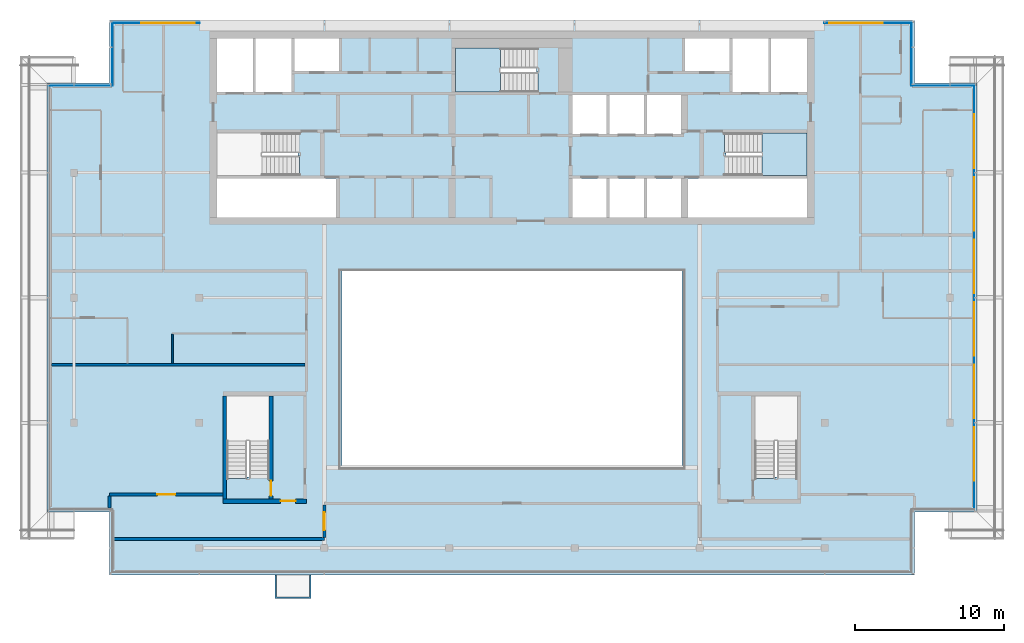
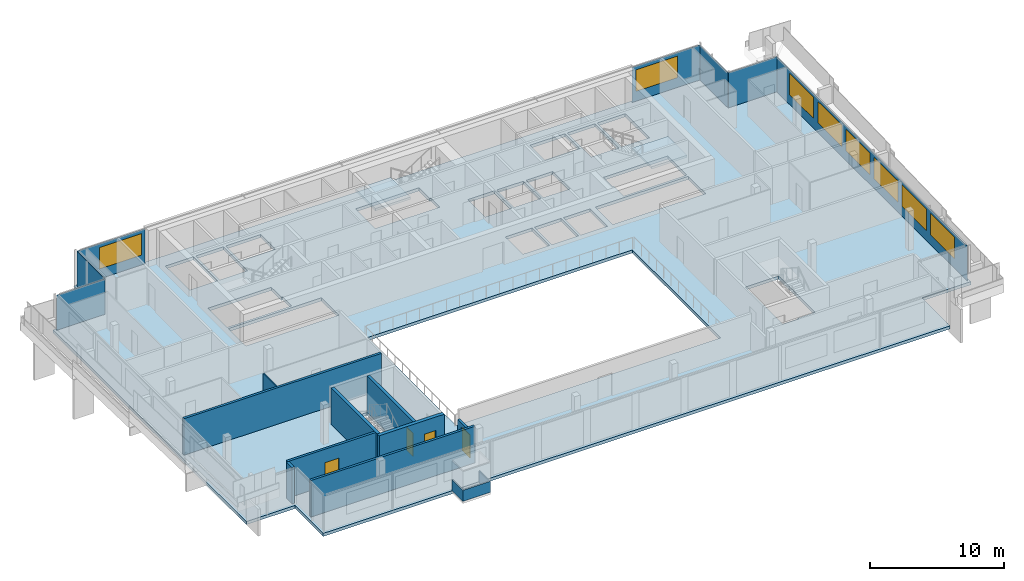
# One storey, part 10 of 19: 10 walls, 8 windows, 7 plates, 4 doors, 3 slabs, 12 openings, 8 elements without a shape of their own.
"""IFC4 building model written with IfcOpenShell, lengths in metres."""

from ifc_helpers import new_model, si_unit, direction, frame, frame_2d, origin, place, context, subcontext, project, spatial, polyline, rectangle, outline, extrude, material, layer, layer_set, type_object, element, fill, aggregate, save


model = new_model("IFC4")

# Units and contexts
model_context = context("Model", 3, precision=1e-05, world=origin(), true_north=direction((0.0, 1.0)))
body_context = subcontext(model_context, "Body", "Model", "MODEL_VIEW")
ifc_project = project(units=[si_unit("LENGTHUNIT", "METRE"), si_unit("AREAUNIT", "SQUARE_METRE"), si_unit("VOLUMEUNIT", "CUBIC_METRE"), si_unit("PLANEANGLEUNIT", "RADIAN"), si_unit("MASSUNIT", "GRAM", prefix="KILO")], contexts=[model_context])

# Site, building, storey
site_placement = place(None, origin())
site = spatial("IfcSite", under=ifc_project, at=site_placement, CompositionType="ELEMENT")
building_placement = place(site_placement, origin())
building = spatial("IfcBuilding", under=site, at=building_placement, Name="Saffron Gate Tower", CompositionType="ELEMENT")
storey_placement = place(building_placement, frame((0.0, 0.0, 292.35009765625)))
storey = spatial("IfcBuildingStorey", under=building, at=storey_placement, Name="L71", CompositionType="ELEMENT", Elevation=292.35009765625)

# Curtain wall, plate, openings, windows
ifc_material_1 = material(Name="Aluminium, bronze anodised", Category="aluminium")
curtain_wall_type_1 = type_object("IfcCurtainWallType", Name="CWS2 curtain wall side facades", PredefinedType="NOTDEFINED", material=ifc_material_1)
curtain_wall_1_placement = place(storey_placement, origin())
curtain_wall_1 = element("IfcCurtainWall", 1, at=curtain_wall_1_placement, inside=storey, type_object=curtain_wall_type_1, Name="CWS2 run 4", PredefinedType="NOTDEFINED")
ifc_material_2 = material(Name="Fritted bronze-tinted laminated glass", Category="glass")
ifc_layer_1 = layer(ifc_material_2, 0.028076171875)
ifc_layer_set_1 = layer_set([ifc_layer_1], Name="CWS2 fixed glass")
plate_type_1 = type_object("IfcPlateType", Name="CWS2 fixed glass", PredefinedType="CURTAIN_PANEL", material=ifc_layer_set_1)
plate_1_placement = place(storey_placement, frame((118.6259765625, 42.7880859375, 0.0), z_axis=(0.0, 0.0, 1.0), x_axis=(0.0, 1.0, 0.0)))
plate_1 = element("IfcPlate", 2, at=plate_1_placement, type_object=plate_type_1, Name="CWS2 glass panel", PredefinedType="CURTAIN_PANEL", context=body_context, shape_type="SweptSolid", body=[
    extrude(rectangle(XDim=28.423828125, YDim=0.028076171875, at=frame_2d((14.2119140625, 0.0))), origin(), (0.0, 0.0, 1.0), 3.199951171875),
])
opening_1_placement = place(plate_1_placement, frame((1.912109375, 0.0, 0.89990234375)))
opening_1 = element("IfcOpeningElement", 3, at=opening_1_placement, cuts=plate_1, Name="Opening W1", PredefinedType="OPENING", context=body_context, shape_type="SweptSolid", body=[
    extrude(rectangle(XDim=3.60009765625, YDim=1.949951171875, at=frame_2d((1.800048828125, 0.97509765625))), frame((0.0, 0.02392578125, 0.0), z_axis=(0.0, -1.0, 0.0), x_axis=(1.0, 0.0, 0.0)), (0.0, 0.0, 1.0), 0.048095703125),
])
opening_2_placement = place(plate_1_placement, frame((6.112060546875, 0.0, 0.89990234375)))
opening_2 = element("IfcOpeningElement", 4, at=opening_2_placement, cuts=plate_1, Name="Opening W1", PredefinedType="OPENING", context=body_context, shape_type="SweptSolid", body=[
    extrude(rectangle(XDim=3.60009765625, YDim=1.949951171875, at=frame_2d((1.800048828125, 0.97509765625))), frame((0.0, 0.02392578125, 0.0), z_axis=(0.0, -1.0, 0.0), x_axis=(1.0, 0.0, 0.0)), (0.0, 0.0, 1.0), 0.048095703125),
])
opening_3_placement = place(plate_1_placement, frame((10.31201171875, 0.0, 0.89990234375)))
opening_3 = element("IfcOpeningElement", 5, at=opening_3_placement, cuts=plate_1, Name="Opening W1", PredefinedType="OPENING", context=body_context, shape_type="SweptSolid", body=[
    extrude(rectangle(XDim=3.60009765625, YDim=1.949951171875, at=frame_2d((1.800048828125, 0.97509765625))), frame((0.0, 0.02392578125, 0.0), z_axis=(0.0, -1.0, 0.0), x_axis=(1.0, 0.0, 0.0)), (0.0, 0.0, 1.0), 0.048095703125),
])
opening_4_placement = place(plate_1_placement, frame((14.511962890625, 0.0, 0.89990234375)))
opening_4 = element("IfcOpeningElement", 6, at=opening_4_placement, cuts=plate_1, Name="Opening W1", PredefinedType="OPENING", context=body_context, shape_type="SweptSolid", body=[
    extrude(rectangle(XDim=3.60009765625, YDim=1.949951171875, at=frame_2d((1.800048828125, 0.97509765625))), frame((0.0, 0.02392578125, 0.0), z_axis=(0.0, -1.0, 0.0), x_axis=(1.0, 0.0, 0.0)), (0.0, 0.0, 1.0), 0.048095703125),
])
opening_5_placement = place(plate_1_placement, frame((18.7119140625, 0.0, 0.89990234375)))
opening_5 = element("IfcOpeningElement", 7, at=opening_5_placement, cuts=plate_1, Name="Opening W1", PredefinedType="OPENING", context=body_context, shape_type="SweptSolid", body=[
    extrude(rectangle(XDim=3.60009765625, YDim=1.949951171875, at=frame_2d((1.800048828125, 0.97509765625))), frame((0.0, 0.02392578125, 0.0), z_axis=(0.0, -1.0, 0.0), x_axis=(1.0, 0.0, 0.0)), (0.0, 0.0, 1.0), 0.048095703125),
])
opening_6_placement = place(plate_1_placement, frame((22.912109375, 0.0, 0.89990234375)))
opening_6 = element("IfcOpeningElement", 8, at=opening_6_placement, cuts=plate_1, Name="Opening W1", PredefinedType="OPENING", context=body_context, shape_type="SweptSolid", body=[
    extrude(rectangle(XDim=3.60009765625, YDim=1.949951171875, at=frame_2d((1.800048828125, 0.97509765625))), frame((0.0, 0.02392578125, 0.0), z_axis=(0.0, -1.0, 0.0), x_axis=(1.0, 0.0, 0.0)), (0.0, 0.0, 1.0), 0.048095703125),
])
ifc_material_3 = material(Name="Fritted bronze-tinted laminated glass in bronze frame", Category="glass")
ifc_layer_2 = layer(ifc_material_3, 0.06005859375)
ifc_layer_set_2 = layer_set([ifc_layer_2], Name="W1 operable panel 3600x1950")
window_type = type_object("IfcWindowType", Name="W1 operable panel 3600x1950", PartitioningType="DOUBLE_PANEL_HORIZONTAL", PredefinedType="WINDOW", material=ifc_layer_set_2)
window_1_placement = place(opening_1_placement, origin())
window_1 = element("IfcWindow", 9, at=window_1_placement, type_object=window_type, Name="W1 operable panel", OverallHeight=1.949951171875, OverallWidth=3.60009765625, PartitioningType="SINGLE_PANEL", PredefinedType="WINDOW", context=body_context, shape_type="SweptSolid", body=[
    extrude(rectangle(XDim=3.60009765625, YDim=1.949951171875, at=frame_2d((1.800048828125, 0.97509765625))), frame((0.0, 0.013671875, 0.0), z_axis=(0.0, -1.0, 0.0), x_axis=(1.0, 0.0, 0.0)), (0.0, 0.0, 1.0), 0.027587890625),
])
fill(opening_1, window_1)
window_2_placement = place(opening_2_placement, origin())
window_2 = element("IfcWindow", 10, at=window_2_placement, type_object=window_type, Name="W1 operable panel", OverallHeight=1.949951171875, OverallWidth=3.60009765625, PartitioningType="SINGLE_PANEL", PredefinedType="WINDOW", context=body_context, shape_type="SweptSolid", body=[
    extrude(rectangle(XDim=3.60009765625, YDim=1.949951171875, at=frame_2d((1.800048828125, 0.97509765625))), frame((0.0, 0.013671875, 0.0), z_axis=(0.0, -1.0, 0.0), x_axis=(1.0, 0.0, 0.0)), (0.0, 0.0, 1.0), 0.027587890625),
])
fill(opening_2, window_2)
window_3_placement = place(opening_3_placement, origin())
window_3 = element("IfcWindow", 11, at=window_3_placement, type_object=window_type, Name="W1 operable panel", OverallHeight=1.949951171875, OverallWidth=3.60009765625, PartitioningType="SINGLE_PANEL", PredefinedType="WINDOW", context=body_context, shape_type="SweptSolid", body=[
    extrude(rectangle(XDim=3.60009765625, YDim=1.949951171875, at=frame_2d((1.800048828125, 0.97509765625))), frame((0.0, 0.013671875, 0.0), z_axis=(0.0, -1.0, 0.0), x_axis=(1.0, 0.0, 0.0)), (0.0, 0.0, 1.0), 0.027587890625),
])
fill(opening_3, window_3)
window_4_placement = place(opening_4_placement, origin())
window_4 = element("IfcWindow", 12, at=window_4_placement, type_object=window_type, Name="W1 operable panel", OverallHeight=1.949951171875, OverallWidth=3.60009765625, PartitioningType="SINGLE_PANEL", PredefinedType="WINDOW", context=body_context, shape_type="SweptSolid", body=[
    extrude(rectangle(XDim=3.60009765625, YDim=1.949951171875, at=frame_2d((1.800048828125, 0.97509765625))), frame((0.0, 0.013671875, 0.0), z_axis=(0.0, -1.0, 0.0), x_axis=(1.0, 0.0, 0.0)), (0.0, 0.0, 1.0), 0.027587890625),
])
fill(opening_4, window_4)
window_5_placement = place(opening_5_placement, origin())
window_5 = element("IfcWindow", 13, at=window_5_placement, type_object=window_type, Name="W1 operable panel", OverallHeight=1.949951171875, OverallWidth=3.60009765625, PartitioningType="SINGLE_PANEL", PredefinedType="WINDOW", context=body_context, shape_type="SweptSolid", body=[
    extrude(rectangle(XDim=3.60009765625, YDim=1.949951171875, at=frame_2d((1.800048828125, 0.97509765625))), frame((0.0, 0.013671875, 0.0), z_axis=(0.0, -1.0, 0.0), x_axis=(1.0, 0.0, 0.0)), (0.0, 0.0, 1.0), 0.027587890625),
])
fill(opening_5, window_5)
window_6_placement = place(opening_6_placement, origin())
window_6 = element("IfcWindow", 14, at=window_6_placement, type_object=window_type, Name="W1 operable panel", OverallHeight=1.949951171875, OverallWidth=3.60009765625, PartitioningType="SINGLE_PANEL", PredefinedType="WINDOW", context=body_context, shape_type="SweptSolid", body=[
    extrude(rectangle(XDim=3.60009765625, YDim=1.949951171875, at=frame_2d((1.800048828125, 0.97509765625))), frame((0.0, 0.013671875, 0.0), z_axis=(0.0, -1.0, 0.0), x_axis=(1.0, 0.0, 0.0)), (0.0, 0.0, 1.0), 0.027587890625),
])
fill(opening_6, window_6)
aggregate(curtain_wall_1, [plate_1, window_1, window_2, window_3, window_4, window_5, window_6])

# Curtain wall, plates, openings, windows
curtain_wall_type_2 = type_object("IfcCurtainWallType", Name="CWS3 curtain wall rear facade", PredefinedType="NOTDEFINED", material=ifc_material_1)
curtain_wall_2_placement = place(storey_placement, origin())
curtain_wall_2 = element("IfcCurtainWall", 15, at=curtain_wall_2_placement, inside=storey, type_object=curtain_wall_type_2, Name="CWS3 run 7", PredefinedType="NOTDEFINED")
ifc_material_4 = material(Name="Fritted grey-tinted laminated glass", Category="glass")
ifc_layer_3 = layer(ifc_material_4, 0.028076171875)
ifc_layer_set_3 = layer_set([ifc_layer_3], Name="CWS3 fixed glass")
plate_type_2 = type_object("IfcPlateType", Name="CWS3 fixed glass", PredefinedType="CURTAIN_PANEL", material=ifc_layer_set_3)
plate_2_placement = place(storey_placement, frame((114.412109375, 75.426025390625, 0.0), z_axis=(0.0, 0.0, 1.0), x_axis=(-1.0, 0.0, 0.0)))
plate_2 = element("IfcPlate", 16, at=plate_2_placement, type_object=plate_type_2, Name="CWS3 glass panel", PredefinedType="CURTAIN_PANEL", context=body_context, shape_type="SweptSolid", body=[
    extrude(rectangle(XDim=5.84716796875, YDim=0.028076171875, at=frame_2d((2.923583984375, 0.0))), origin(), (0.0, 0.0, 1.0), 3.199951171875),
])
opening_7_placement = place(plate_2_placement, frame((1.912109375, 0.0, 0.89990234375)))
opening_7 = element("IfcOpeningElement", 17, at=opening_7_placement, cuts=plate_2, Name="Opening W1", PredefinedType="OPENING", context=body_context, shape_type="SweptSolid", body=[
    extrude(rectangle(XDim=3.60009765625, YDim=1.949951171875, at=frame_2d((1.800048828125, 0.97509765625))), frame((0.0, 0.02392578125, 0.0), z_axis=(0.0, -1.0, 0.0), x_axis=(1.0, 0.0, 0.0)), (0.0, 0.0, 1.0), 0.048095703125),
])
window_7_placement = place(opening_7_placement, origin())
window_7 = element("IfcWindow", 18, at=window_7_placement, type_object=window_type, Name="W1 operable panel", OverallHeight=1.949951171875, OverallWidth=3.60009765625, PartitioningType="SINGLE_PANEL", PredefinedType="WINDOW", context=body_context, shape_type="SweptSolid", body=[
    extrude(rectangle(XDim=3.60009765625, YDim=1.949951171875, at=frame_2d((1.800048828125, 0.97509765625))), frame((0.0, 0.013671875, 0.0), z_axis=(0.0, -1.0, 0.0), x_axis=(1.0, 0.0, 0.0)), (0.0, 0.0, 1.0), 0.027587890625),
])
fill(opening_7, window_7)
plate_3_placement = place(storey_placement, frame((66.635009765625, 75.426025390625, 0.0), z_axis=(0.0, 0.0, 1.0), x_axis=(-1.0, 0.0, 0.0)))
plate_3 = element("IfcPlate", 19, at=plate_3_placement, type_object=plate_type_2, Name="CWS3 glass panel", PredefinedType="CURTAIN_PANEL", context=body_context, shape_type="SweptSolid", body=[
    extrude(rectangle(XDim=5.846923828125, YDim=0.028076171875, at=frame_2d((2.92333984375, 0.0))), origin(), (0.0, 0.0, 1.0), 3.199951171875),
])
opening_8_placement = place(plate_3_placement, frame((0.3349609375, 0.0, 0.89990234375)))
opening_8 = element("IfcOpeningElement", 20, at=opening_8_placement, cuts=plate_3, Name="Opening W1", PredefinedType="OPENING", context=body_context, shape_type="SweptSolid", body=[
    extrude(rectangle(XDim=3.60009765625, YDim=1.949951171875, at=frame_2d((1.800048828125, 0.97509765625))), frame((0.0, 0.02392578125, 0.0), z_axis=(0.0, -1.0, 0.0), x_axis=(1.0, 0.0, 0.0)), (0.0, 0.0, 1.0), 0.048095703125),
])
window_8_placement = place(opening_8_placement, origin())
window_8 = element("IfcWindow", 21, at=window_8_placement, type_object=window_type, Name="W1 operable panel", OverallHeight=1.949951171875, OverallWidth=3.60009765625, PartitioningType="SINGLE_PANEL", PredefinedType="WINDOW", context=body_context, shape_type="SweptSolid", body=[
    extrude(rectangle(XDim=3.60009765625, YDim=1.949951171875, at=frame_2d((1.800048828125, 0.97509765625))), frame((0.0, 0.013671875, 0.0), z_axis=(0.0, -1.0, 0.0), x_axis=(1.0, 0.0, 0.0)), (0.0, 0.0, 1.0), 0.027587890625),
])
fill(opening_8, window_8)
aggregate(curtain_wall_2, [plate_2, plate_3, window_7, window_8])

# Curtain wall, plate
curtain_wall_type_3 = type_object("IfcCurtainWallType", Name="CWS4 curtain wall corner returns", PredefinedType="NOTDEFINED", material=ifc_material_1)
curtain_wall_3_placement = place(storey_placement, origin())
curtain_wall_3 = element("IfcCurtainWall", 22, at=curtain_wall_3_placement, inside=storey, type_object=curtain_wall_type_3, Name="CWS4 run 5", PredefinedType="NOTDEFINED")
ifc_layer_4 = layer(ifc_material_2, 0.028076171875)
ifc_layer_set_4 = layer_set([ifc_layer_4], Name="CWS4 fixed glass")
plate_type_3 = type_object("IfcPlateType", Name="CWS4 fixed glass", PredefinedType="CURTAIN_PANEL", material=ifc_layer_set_4)
plate_4_placement = place(storey_placement, frame((118.612060546875, 71.22607421875, 0.0), z_axis=(0.0, 0.0, 1.0), x_axis=(-1.0, 0.0, 0.0)))
plate_4 = element("IfcPlate", 23, at=plate_4_placement, type_object=plate_type_3, Name="CWS4 glass panel", PredefinedType="CURTAIN_PANEL", context=body_context, shape_type="SweptSolid", body=[
    extrude(rectangle(XDim=4.172119140625, YDim=0.028076171875, at=frame_2d((2.0859375, 0.0))), origin(), (0.0, 0.0, 1.0), 3.199951171875),
])
aggregate(curtain_wall_3, [plate_4])

curtain_wall_4_placement = place(storey_placement, origin())
curtain_wall_4 = element("IfcCurtainWall", 24, at=curtain_wall_4_placement, inside=storey, type_object=curtain_wall_type_3, Name="CWS4 run 6", PredefinedType="NOTDEFINED")
plate_5_placement = place(storey_placement, frame((114.426025390625, 71.239990234375, 0.0), z_axis=(0.0, 0.0, 1.0), x_axis=(0.0, 1.0, 0.0)))
plate_5 = element("IfcPlate", 25, at=plate_5_placement, type_object=plate_type_3, Name="CWS4 glass panel", PredefinedType="CURTAIN_PANEL", context=body_context, shape_type="SweptSolid", body=[
    extrude(rectangle(XDim=4.172119140625, YDim=0.028076171875, at=frame_2d((2.0859375, 0.0))), origin(), (0.0, 0.0, 1.0), 3.199951171875),
])
aggregate(curtain_wall_4, [plate_5])

curtain_wall_5_placement = place(storey_placement, origin())
curtain_wall_5 = element("IfcCurtainWall", 26, at=curtain_wall_5_placement, inside=storey, type_object=curtain_wall_type_3, Name="CWS4 run 8", PredefinedType="NOTDEFINED")
plate_6_placement = place(storey_placement, frame((60.77392578125, 75.412109375, 0.0), z_axis=(0.0, 0.0, 1.0), x_axis=(0.0, -1.0, 0.0)))
plate_6 = element("IfcPlate", 27, at=plate_6_placement, type_object=plate_type_3, Name="CWS4 glass panel", PredefinedType="CURTAIN_PANEL", context=body_context, shape_type="SweptSolid", body=[
    extrude(rectangle(XDim=4.172119140625, YDim=0.028076171875, at=frame_2d((2.0859375, 0.0))), origin(), (0.0, 0.0, 1.0), 3.199951171875),
])
aggregate(curtain_wall_5, [plate_6])

curtain_wall_6_placement = place(storey_placement, origin())
curtain_wall_6 = element("IfcCurtainWall", 28, at=curtain_wall_6_placement, inside=storey, type_object=curtain_wall_type_3, Name="CWS4 run 9", PredefinedType="NOTDEFINED")
plate_7_placement = place(storey_placement, frame((60.760009765625, 71.22607421875, 0.0), z_axis=(0.0, 0.0, 1.0), x_axis=(-1.0, 0.0, 0.0)))
plate_7 = element("IfcPlate", 29, at=plate_7_placement, type_object=plate_type_3, Name="CWS4 glass panel", PredefinedType="CURTAIN_PANEL", context=body_context, shape_type="SweptSolid", body=[
    extrude(rectangle(XDim=4.172119140625, YDim=0.028076171875, at=frame_2d((2.0859375, 0.0))), origin(), (0.0, 0.0, 1.0), 3.199951171875),
])
aggregate(curtain_wall_6, [plate_7])

# Slab
ifc_material_5 = material(Name="Concrete C40", Category="concrete")
ifc_layer_5 = layer(ifc_material_5, 0.280029296875)
ifc_layer_set_5 = layer_set([ifc_layer_5], Name="S2 FLOOR SLAB 280 CONCRETE C40")
slab_type_1 = type_object("IfcSlabType", Name="S2 FLOOR SLAB 280 CONCRETE C40", PredefinedType="FLOOR", material=ifc_layer_set_5)
slab_1_placement = place(storey_placement, frame((0.0, 0.0, -0.280029296875)))
element("IfcSlab", 30, at=slab_1_placement, inside=storey, type_object=slab_type_1, Name="S2 FLOOR SLAB", PredefinedType="FLOOR", context=body_context, shape_type="SweptSolid", body=[
    extrude(outline(polyline([(56.39990234375, 42.60009765625), (60.60009765625, 42.60009765625), (60.60009765625, 38.39990234375), (114.60009765625, 38.39990234375), (114.60009765625, 42.60009765625), (118.800048828125, 42.60009765625), (118.800048828125, 71.39990234375), (114.60009765625, 71.39990234375), (114.60009765625, 75.60009765625), (60.60009765625, 75.60009765625), (60.60009765625, 71.39990234375), (56.39990234375, 71.39990234375), (56.39990234375, 42.60009765625)]), holes=[polyline([(67.800048828125, 62.39990234375), (67.800048828125, 65.0), (75.800048828125, 65.0), (75.800048828125, 62.39990234375), (67.800048828125, 62.39990234375)]), polyline([(67.800048828125, 65.199951171875), (67.800048828125, 68.050048828125), (73.25, 68.050048828125), (73.25, 66.550048828125), (73.34912109375, 66.550048828125), (73.34912109375, 65.199951171875), (67.800048828125, 65.199951171875)]), polyline([(67.800048828125, 70.800048828125), (67.800048828125, 74.39990234375), (70.199951171875, 74.39990234375), (70.199951171875, 70.800048828125), (67.800048828125, 70.800048828125)]), polyline([(68.449951171875, 44.85107421875), (68.449951171875, 50.39990234375), (71.300048828125, 50.39990234375), (71.300048828125, 44.949951171875), (69.800048828125, 44.949951171875), (69.800048828125, 44.85107421875), (68.449951171875, 44.85107421875)]), polyline([(70.39990234375, 70.800048828125), (70.39990234375, 74.39990234375), (72.800048828125, 74.39990234375), (72.800048828125, 70.800048828125), (70.39990234375, 70.800048828125)]), polyline([(73.0, 72.199951171875), (73.0, 74.39990234375), (76.0, 74.39990234375), (76.0, 72.199951171875), (73.0, 72.199951171875)]), polyline([(76.199951171875, 45.60009765625), (76.199951171875, 58.800048828125), (99.0, 58.800048828125), (99.0, 45.60009765625), (76.199951171875, 45.60009765625)]), polyline([(83.800048828125, 70.800048828125), (83.800048828125, 73.75), (89.25, 73.75), (89.25, 72.14990234375), (89.34912109375, 72.14990234375), (89.34912109375, 70.800048828125), (83.800048828125, 70.800048828125)]), polyline([(91.64990234375, 62.39990234375), (91.64990234375, 65.0), (93.949951171875, 65.0), (93.949951171875, 62.39990234375), (91.64990234375, 62.39990234375)]), polyline([(91.64990234375, 68.0), (91.64990234375, 70.60009765625), (93.949951171875, 70.60009765625), (93.949951171875, 68.0), (91.64990234375, 68.0)]), polyline([(94.14990234375, 62.39990234375), (94.14990234375, 65.0), (96.449951171875, 65.0), (96.449951171875, 62.39990234375), (94.14990234375, 62.39990234375)]), polyline([(94.14990234375, 68.0), (94.14990234375, 70.60009765625), (96.449951171875, 70.60009765625), (96.449951171875, 68.0), (94.14990234375, 68.0)]), polyline([(96.64990234375, 62.39990234375), (96.64990234375, 65.0), (98.949951171875, 65.0), (98.949951171875, 62.39990234375), (96.64990234375, 62.39990234375)]), polyline([(96.64990234375, 68.0), (96.64990234375, 70.60009765625), (98.949951171875, 70.60009765625), (98.949951171875, 68.0), (96.64990234375, 68.0)]), polyline([(99.199951171875, 72.199951171875), (99.199951171875, 74.39990234375), (102.199951171875, 74.39990234375), (102.199951171875, 72.199951171875), (99.199951171875, 72.199951171875)]), polyline([(99.39990234375, 62.39990234375), (99.39990234375, 65.0), (107.39990234375, 65.0), (107.39990234375, 62.39990234375), (99.39990234375, 62.39990234375)]), polyline([(101.85107421875, 66.699951171875), (101.85107421875, 68.050048828125), (107.39990234375, 68.050048828125), (107.39990234375, 65.199951171875), (101.949951171875, 65.199951171875), (101.949951171875, 66.699951171875), (101.85107421875, 66.699951171875)]), polyline([(102.39990234375, 70.800048828125), (102.39990234375, 74.39990234375), (104.800048828125, 74.39990234375), (104.800048828125, 70.800048828125), (102.39990234375, 70.800048828125)]), polyline([(103.89990234375, 44.85107421875), (103.89990234375, 50.39990234375), (106.75, 50.39990234375), (106.75, 44.949951171875), (105.25, 44.949951171875), (105.25, 44.85107421875), (103.89990234375, 44.85107421875)]), polyline([(105.0, 70.800048828125), (105.0, 74.39990234375), (107.39990234375, 74.39990234375), (107.39990234375, 70.800048828125), (105.0, 70.800048828125)])]), origin(), (0.0, 0.0, 1.0), 0.280029296875),
])

# Stair, slab
stair_type = type_object("IfcStairType", Name="ST7 Stair 1350 wide, 20 risers of 180", PredefinedType="HALF_TURN_STAIR", material=ifc_material_5)
stair_1_placement = place(storey_placement, origin())
stair_1 = element("IfcStair", 31, at=stair_1_placement, inside=storey, type_object=stair_type, Name="L71 Exit stair B", PredefinedType="HALF_TURN_STAIR")
ifc_layer_6 = layer(ifc_material_5, 0.199951171875)
ifc_layer_set_6 = layer_set([ifc_layer_6], Name="SL1 Stair landing 200")
slab_type_2 = type_object("IfcSlabType", Name="SL1 Stair landing 200", PredefinedType="LANDING", material=ifc_layer_set_6)
slab_2_placement = place(storey_placement, frame((0.0, 0.0, 1.599853515625)))
slab_2 = element("IfcSlab", 32, at=slab_2_placement, type_object=slab_type_2, Name="ST-B landing 1", PredefinedType="LANDING", context=body_context, shape_type="SweptSolid", body=[
    extrude(outline(polyline([(104.3701171875, 65.199951171875), (107.39990234375, 65.199951171875), (107.39990234375, 68.050048828125), (104.3701171875, 68.050048828125), (104.3701171875, 65.199951171875)])), origin(), (0.0, 0.0, 1.0), 0.199951171875),
])
aggregate(stair_1, [slab_2])

stair_2_placement = place(storey_placement, origin())
stair_2 = element("IfcStair", 33, at=stair_2_placement, inside=storey, type_object=stair_type, Name="L71 Exit stair C", PredefinedType="HALF_TURN_STAIR")
slab_3_placement = place(storey_placement, frame((0.0, 0.0, 1.599853515625)))
slab_3 = element("IfcSlab", 34, at=slab_3_placement, type_object=slab_type_2, Name="ST-C landing 1", PredefinedType="LANDING", context=body_context, shape_type="SweptSolid", body=[
    extrude(outline(polyline([(86.830078125, 73.75), (83.800048828125, 73.75), (83.800048828125, 70.800048828125), (86.830078125, 70.800048828125), (86.830078125, 73.75)])), origin(), (0.0, 0.0, 1.0), 0.199951171875),
])
aggregate(stair_2, [slab_3])

# Wall
ifc_material_6 = material(Name="Concrete C50", Category="concrete")
ifc_layer_7 = layer(ifc_material_6, 0.25)
ifc_layer_set_7 = layer_set([ifc_layer_7], Name="CW23 RC core wall 250 C50")
wall_type_1 = type_object("IfcWallType", Name="CW23 RC core wall 250 C50", PredefinedType="SOLIDWALL", material=ifc_layer_set_7)
wall_1_placement = place(storey_placement, frame((68.324951171875, 43.5, 0.0), z_axis=(0.0, 0.0, 1.0), x_axis=(0.0, 1.0, 0.0)))
element("IfcWall", 35, at=wall_1_placement, inside=storey, type_object=wall_type_1, Name="Wall CW23-L71-D-2", PredefinedType="SOLIDWALL", context=body_context, shape_type="SweptSolid", body=[
    extrude(rectangle(XDim=6.89990234375, YDim=0.25, at=frame_2d((3.449951171875, 0.0))), origin(), (0.0, 0.0, 1.0), 3.31982421875),
])

# Wall, opening, door
wall_2_placement = place(storey_placement, frame((71.425048828125, 43.5, 0.0), z_axis=(0.0, 0.0, 1.0), x_axis=(0.0, 1.0, 0.0)))
wall_2 = element("IfcWall", 36, at=wall_2_placement, inside=storey, type_object=wall_type_1, Name="Wall CW23-L71-D-3", PredefinedType="SOLIDWALL", context=body_context, shape_type="SweptSolid", body=[
    extrude(rectangle(XDim=6.89990234375, YDim=0.25, at=frame_2d((3.449951171875, 0.0))), origin(), (0.0, 0.0, 1.0), 3.31982421875),
])
opening_9_placement = place(wall_2_placement, frame((0.199951171875, 0.0, 0.0)))
opening_9 = element("IfcOpeningElement", 37, at=opening_9_placement, cuts=wall_2, Name="Opening CR-20", PredefinedType="OPENING", context=body_context, shape_type="SweptSolid", body=[
    extrude(rectangle(XDim=1.0, YDim=2.10009765625, at=frame_2d((0.5, 1.050048828125))), frame((0.0, 0.135009765625, 0.0), z_axis=(0.0, -1.0, 0.0), x_axis=(1.0, 0.0, 0.0)), (0.0, 0.0, 1.0), 0.27001953125),
])
ifc_material_7 = material(Name="Steel fire door set", Category="steel")
door_type_1 = type_object("IfcDoorType", Name="CD5 Stair door 1000x2100 EI 120", OperationType="NOTDEFINED", PredefinedType="DOOR", material=ifc_material_7)
door_1_placement = place(opening_9_placement, origin())
door_1 = element("IfcDoor", 38, at=door_1_placement, inside=storey, type_object=door_type_1, Name="DOOR CR-20", OperationType="SINGLE_SWING_LEFT", OverallHeight=2.10009765625, OverallWidth=1.0, PredefinedType="DOOR", context=body_context, shape_type="SweptSolid", body=[
    extrude(rectangle(XDim=1.0, YDim=2.10009765625, at=frame_2d((0.5, 1.050048828125))), frame((0.0, 0.02490234375, 0.0), z_axis=(0.0, -1.0, 0.0), x_axis=(1.0, 0.0, 0.0)), (0.0, 0.0, 1.0), 0.050048828125),
])
fill(opening_9, door_1)

ifc_layer_8 = layer(ifc_material_6, 0.300048828125)
ifc_layer_set_8 = layer_set([ifc_layer_8], Name="CW26 RC core wall 300 C50")
wall_type_2 = type_object("IfcWallType", Name="CW26 RC core wall 300 C50", PredefinedType="SOLIDWALL", material=ifc_layer_set_8)
wall_3_placement = place(storey_placement, frame((68.199951171875, 43.35009765625, 0.0), z_axis=(0.0, 0.0, 1.0), x_axis=(1.0, 0.0, 0.0)))
wall_3 = element("IfcWall", 39, at=wall_3_placement, inside=storey, type_object=wall_type_2, Name="Wall CW26-L71-D-1", PredefinedType="SOLIDWALL", context=body_context, shape_type="SweptSolid", body=[
    extrude(rectangle(XDim=5.60009765625, YDim=0.300048828125, at=frame_2d((2.800048828125, 0.0))), origin(), (0.0, 0.0, 1.0), 3.31982421875),
])
opening_10_placement = place(wall_3_placement, frame((3.875, 0.0, 0.0)))
opening_10 = element("IfcOpeningElement", 40, at=opening_10_placement, cuts=wall_3, Name="Opening CR-18", PredefinedType="OPENING", context=body_context, shape_type="SweptSolid", body=[
    extrude(rectangle(XDim=1.0, YDim=2.10009765625, at=frame_2d((0.5, 1.050048828125))), frame((0.0, 0.16015625, 0.0), z_axis=(0.0, -1.0, 0.0), x_axis=(1.0, 0.0, 0.0)), (0.0, 0.0, 1.0), 0.320068359375),
])
door_type_2 = type_object("IfcDoorType", Name="CD4 Lobby door 1000x2100 EI 120", OperationType="NOTDEFINED", PredefinedType="DOOR", material=ifc_material_7)
door_2_placement = place(opening_10_placement, origin())
door_2 = element("IfcDoor", 41, at=door_2_placement, inside=storey, type_object=door_type_2, Name="DOOR CR-18", OperationType="SINGLE_SWING_RIGHT", OverallHeight=2.10009765625, OverallWidth=1.0, PredefinedType="DOOR", context=body_context, shape_type="SweptSolid", body=[
    extrude(rectangle(XDim=1.0, YDim=2.10009765625, at=frame_2d((0.5, 1.050048828125))), frame((0.0, 0.02490234375, 0.0), z_axis=(0.0, -1.0, 0.0), x_axis=(1.0, 0.0, 0.0)), (0.0, 0.0, 1.0), 0.050048828125),
])
fill(opening_10, door_2)

# Walls
ifc_material_8 = material(Name="Plasterboard on steel studs", Category="steel")
ifc_layer_9 = layer(ifc_material_8, 0.10009765625)
ifc_layer_set_9 = layer_set([ifc_layer_9], Name="PW1 Partition 100")
wall_type_3 = type_object("IfcWallType", Name="PW1 Partition 100", PredefinedType="PARTITIONING", material=ifc_layer_set_9)
wall_4_placement = place(storey_placement, frame((64.800048828125, 54.550048828125, 0.0), z_axis=(0.0, 0.0, 1.0), x_axis=(0.0, -1.0, 0.0)))
element("IfcWall", 42, at=wall_4_placement, inside=storey, type_object=wall_type_3, Name="Partition E5-35", PredefinedType="PARTITIONING", context=body_context, shape_type="SweptSolid", body=[
    extrude(rectangle(XDim=1.949951171875, YDim=0.10009765625, at=frame_2d((0.97509765625, 0.0))), origin(), (0.0, 0.0, 1.0), 3.31982421875),
])
ifc_material_9 = material(Name="Clay brick masonry, rendered", Category="masonry")
ifc_layer_10 = layer(ifc_material_9, 0.199951171875)
ifc_layer_set_10 = layer_set([ifc_layer_10], Name="PW3 Corridor wall 200")
wall_type_4 = type_object("IfcWallType", Name="PW3 Corridor wall 200", PredefinedType="PARTITIONING", material=ifc_layer_set_10)
wall_5_placement = place(storey_placement, frame((60.8798828125, 40.800048828125, 0.0), z_axis=(0.0, 0.0, 1.0), x_axis=(1.0, 0.0, 0.0)))
element("IfcWall", 43, at=wall_5_placement, inside=storey, type_object=wall_type_4, Name="Wall E5-1", PredefinedType="PARTITIONING", context=body_context, shape_type="SweptSolid", body=[
    extrude(rectangle(XDim=14.1201171875, YDim=0.199951171875, at=frame_2d((7.06005859375, 0.0))), origin(), (0.0, 0.0, 1.0), 3.31982421875),
])

# Wall, opening, door
wall_6_placement = place(storey_placement, frame((60.60009765625, 43.800048828125, 0.0), z_axis=(0.0, 0.0, 1.0), x_axis=(1.0, 0.0, 0.0)))
wall_6 = element("IfcWall", 44, at=wall_6_placement, inside=storey, type_object=wall_type_4, Name="Wall E5-4", PredefinedType="PARTITIONING", context=body_context, shape_type="SweptSolid", body=[
    extrude(rectangle(XDim=7.599853515625, YDim=0.199951171875, at=frame_2d((3.7998046875, 0.0))), origin(), (0.0, 0.0, 1.0), 3.31982421875),
])
opening_11_placement = place(wall_6_placement, frame((3.199951171875, 0.0, 0.0)))
opening_11 = element("IfcOpeningElement", 45, at=opening_11_placement, cuts=wall_6, Name="Opening E5-17", PredefinedType="OPENING", context=body_context, shape_type="SweptSolid", body=[
    extrude(rectangle(XDim=1.199951171875, YDim=2.10009765625, at=frame_2d((0.60009765625, 1.050048828125))), frame((0.0, 0.10986328125, 0.0), z_axis=(0.0, -1.0, 0.0), x_axis=(1.0, 0.0, 0.0)), (0.0, 0.0, 1.0), 0.219970703125),
])
ifc_material_10 = material(Name="Timber door set", Category="wood")
door_type_3 = type_object("IfcDoorType", Name="HD1 Hall door 1200x2100", OperationType="NOTDEFINED", PredefinedType="DOOR", material=ifc_material_10)
door_3_placement = place(opening_11_placement, origin())
door_3 = element("IfcDoor", 46, at=door_3_placement, inside=storey, type_object=door_type_3, Name="Door E5-17", OperationType="SINGLE_SWING_LEFT", OverallHeight=2.10009765625, OverallWidth=1.199951171875, PredefinedType="DOOR", context=body_context, shape_type="SweptSolid", body=[
    extrude(rectangle(XDim=1.199951171875, YDim=2.10009765625, at=frame_2d((0.60009765625, 1.050048828125))), frame((0.0, 0.02490234375, 0.0), z_axis=(0.0, -1.0, 0.0), x_axis=(1.0, 0.0, 0.0)), (0.0, 0.0, 1.0), 0.050048828125),
])
fill(opening_11, door_3)

# Wall
wall_7_placement = place(storey_placement, frame((60.60009765625, 43.699951171875, 0.0), z_axis=(0.0, 0.0, 1.0), x_axis=(0.0, -1.0, 0.0)))
element("IfcWall", 47, at=wall_7_placement, inside=storey, type_object=wall_type_4, Name="Wall E5-30", PredefinedType="PARTITIONING", context=body_context, shape_type="SweptSolid", body=[
    extrude(rectangle(XDim=0.820068359375, YDim=0.199951171875, at=frame_2d((0.41015625, 0.0))), origin(), (0.0, 0.0, 1.0), 3.31982421875),
])

# Wall, opening, door
wall_8_placement = place(storey_placement, frame((75.0, 43.10009765625, 0.0), z_axis=(0.0, 0.0, 1.0), x_axis=(0.0, -1.0, 0.0)))
wall_8 = element("IfcWall", 48, at=wall_8_placement, inside=storey, type_object=wall_type_4, Name="Wall E5-37", PredefinedType="PARTITIONING", context=body_context, shape_type="SweptSolid", body=[
    extrude(rectangle(XDim=2.2001953125, YDim=0.199951171875, at=frame_2d((1.10009765625, 0.0))), origin(), (0.0, 0.0, 1.0), 2.52978515625),
])
opening_12_placement = place(wall_8_placement, frame((0.5, 0.0, 0.0)))
opening_12 = element("IfcOpeningElement", 49, at=opening_12_placement, cuts=wall_8, Name="Opening E5-18", PredefinedType="OPENING", context=body_context, shape_type="SweptSolid", body=[
    extrude(rectangle(XDim=1.199951171875, YDim=2.10009765625, at=frame_2d((0.60009765625, 1.050048828125))), frame((0.0, 0.10986328125, 0.0), z_axis=(0.0, -1.0, 0.0), x_axis=(1.0, 0.0, 0.0)), (0.0, 0.0, 1.0), 0.219970703125),
])
door_4_placement = place(opening_12_placement, origin())
door_4 = element("IfcDoor", 50, at=door_4_placement, inside=storey, type_object=door_type_3, Name="Door E5-18", OperationType="SINGLE_SWING_RIGHT", OverallHeight=2.10009765625, OverallWidth=1.199951171875, PredefinedType="DOOR", context=body_context, shape_type="SweptSolid", body=[
    extrude(rectangle(XDim=1.199951171875, YDim=2.10009765625, at=frame_2d((0.60009765625, 1.050048828125))), frame((0.0, 0.02490234375, 0.0), z_axis=(0.0, -1.0, 0.0), x_axis=(1.0, 0.0, 0.0)), (0.0, 0.0, 1.0), 0.050048828125),
])
fill(opening_12, door_4)

# Walls
ifc_layer_11 = layer(ifc_material_9, 0.199951171875)
ifc_layer_set_11 = layer_set([ifc_layer_11], Name="PW5 Room wall 200")
wall_type_5 = type_object("IfcWallType", Name="PW5 Room wall 200", PredefinedType="PARTITIONING", material=ifc_layer_set_11)
wall_9_placement = place(storey_placement, frame((56.679931640625, 52.5, 0.0), z_axis=(0.0, 0.0, 1.0), x_axis=(1.0, 0.0, 0.0)))
element("IfcWall", 51, at=wall_9_placement, inside=storey, type_object=wall_type_5, Name="Wall E5-6", PredefinedType="PARTITIONING", context=body_context, shape_type="SweptSolid", body=[
    extrude(rectangle(XDim=17.02001953125, YDim=0.199951171875, at=frame_2d((8.510009765625, 0.0))), origin(), (0.0, 0.0, 1.0), 3.31982421875),
])
ifc_material_11 = material(Name="Rendered insulated panel, white")
ifc_layer_12 = layer(ifc_material_11, 0.10009765625)
ifc_layer_set_12 = layer_set([ifc_layer_12], Name="WB3 box parapet white")
wall_type_6 = type_object("IfcWallType", Name="WB3 box parapet white", PredefinedType="SOLIDWALL", material=ifc_layer_set_12)
wall_10_placement = place(storey_placement, origin())
element("IfcWall", 52, at=wall_10_placement, inside=storey, type_object=wall_type_6, Name="WINDOW BOX parapet", PredefinedType="SOLIDWALL", context=body_context, shape_type="SweptSolid", body=[
    extrude(outline(polyline([(71.699951171875, 38.39990234375), (71.800048828125, 38.39990234375), (71.800048828125, 36.89990234375), (74.0, 36.89990234375), (74.0, 38.39990234375), (74.10009765625, 38.39990234375), (74.10009765625, 36.800048828125), (71.699951171875, 36.800048828125), (71.699951171875, 38.39990234375)])), origin(), (0.0, 0.0, 1.0), 1.0),
])

save(model, "model.ifc")
